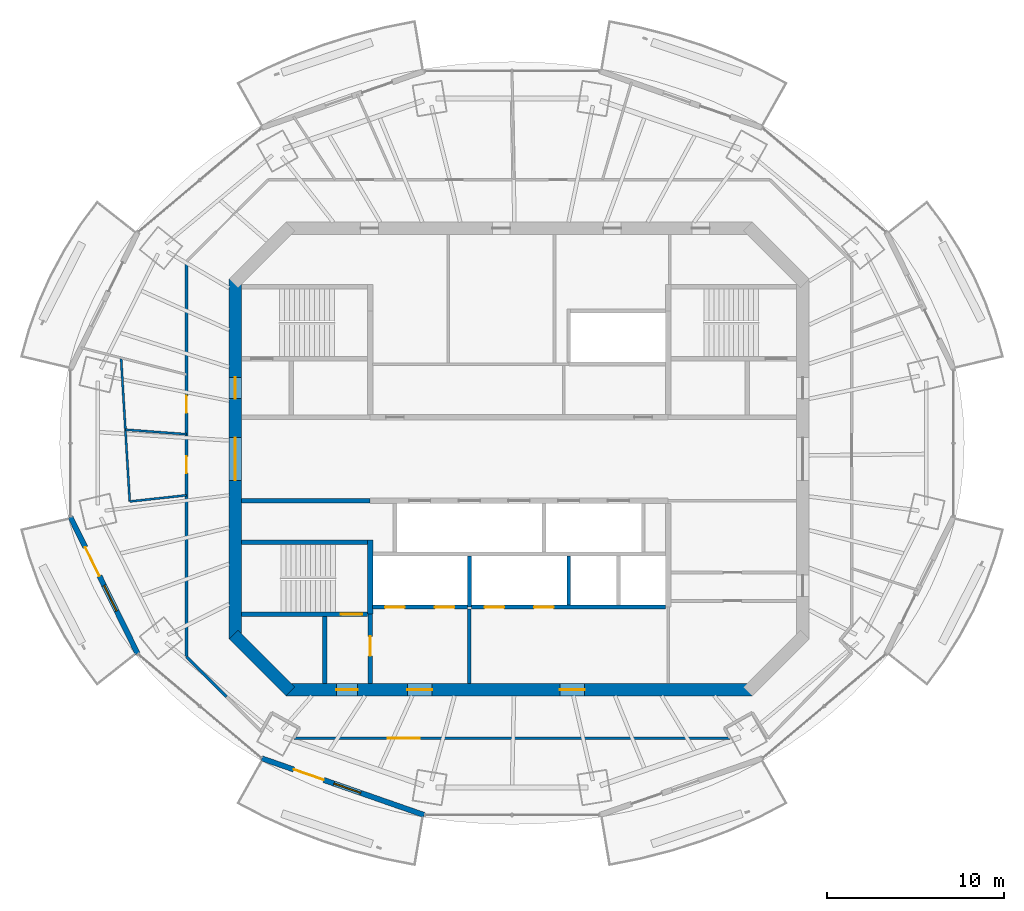
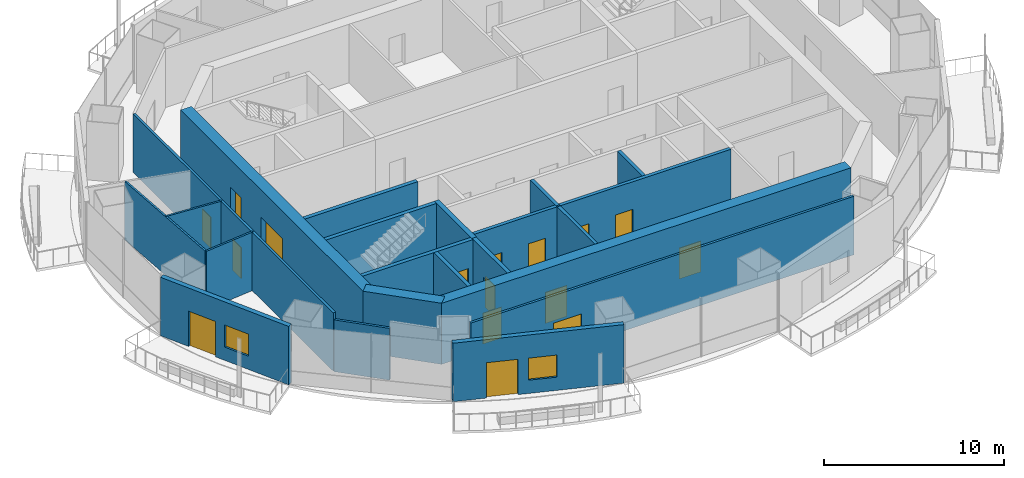
# One storey, part 8 of 15: 22 walls, 16 doors, 2 windows, 18 openings.
"""IFC4 building model written with IfcOpenShell, lengths in metres."""

import ifcopenshell
import ifcopenshell.guid

model = None  # the IFC model being written
_history = None  # IfcOwnerHistory: only IFC2X3 demands one
_inside = {}  # id of a spatial element -> (the spatial element, [elements in it])
_under = {}  # id of a project, library or spatial element -> (it, [spatial elements below it])
_declared = {}  # id of a project -> (the project, [libraries it declares])
_typed = {}  # id of a type object -> (the type object, [elements of that type])
_made_of = {}  # id of a material, layer set ... -> (it, [elements and type objects made of it])


def new_model(schema):
    """Start an empty IFC model of exactly this schema.

    Asked for "IFC4X3", IfcOpenShell would pick the latest addendum, in which some entities
    have other attributes; the version numbers below select the first issue.
    IFC2X3 requires an IfcOwnerHistory on every rooted entity: one is made here for all.
    """
    global model, _history
    if schema == "IFC4X3":
        model = ifcopenshell.file(schema_version=(4, 3, 0, 0))
    else:
        model = ifcopenshell.file(schema=schema)
    _inside.clear()
    _under.clear()
    _declared.clear()
    _typed.clear()
    _made_of.clear()
    _history = None
    if model.schema == "IFC2X3":
        org = make("IfcOrganization", Name="unknown")
        user = make(
            "IfcPersonAndOrganization",
            ThePerson=make("IfcPerson", FamilyName="unknown"),
            TheOrganization=org,
        )
        app = make(
            "IfcApplication",
            ApplicationDeveloper=org,
            Version="unknown",
            ApplicationFullName="unknown",
            ApplicationIdentifier="unknown",
        )
        _history = make(
            "IfcOwnerHistory",
            OwningUser=user,
            OwningApplication=app,
            ChangeAction="ADDED",
            CreationDate=0,
        )
    return model


def make(cls, **values):
    """One entity of the class cls with the attributes given. An attribute that is None is left unset."""
    return model.create_entity(
        cls, **{name: value for name, value in values.items() if value is not None}
    )


def rooted(cls, **values):
    """An entity with a GlobalId (a new one), such as an element, a storey or a relation."""
    return make(cls, GlobalId=ifcopenshell.guid.new(), OwnerHistory=_history, **values)


def si_unit(unit_type, name, prefix=None):
    """IfcSIUnit, for example si_unit("LENGTHUNIT", "METRE", prefix="MILLI")."""
    return make("IfcSIUnit", UnitType=unit_type, Prefix=prefix, Name=name)


def assignment(units):
    """IfcUnitAssignment: the units of a project."""
    return None if units is None else make("IfcUnitAssignment", Units=units)


def point(xyz):
    """IfcCartesianPoint."""
    return None if xyz is None else make("IfcCartesianPoint", Coordinates=xyz)


def direction(xyz):
    """IfcDirection."""
    return None if xyz is None else make("IfcDirection", DirectionRatios=xyz)


def frame(location, z_axis=None, x_axis=None):
    """IfcAxis2Placement3D, a coordinate frame: its origin and axes. An axis left out is left unset."""
    return make(
        "IfcAxis2Placement3D",
        Location=point(location),
        Axis=direction(z_axis),
        RefDirection=direction(x_axis),
    )


def frame_2d(location, x_axis=None):
    """IfcAxis2Placement2D, a coordinate frame in the plane: its origin and x axis."""
    return make(
        "IfcAxis2Placement2D", Location=point(location), RefDirection=direction(x_axis)
    )


def origin():
    """The frame at (0, 0, 0) with its axes left unset."""
    return frame((0.0, 0.0, 0.0))


def place(relative_to, where):
    """IfcLocalPlacement: puts the frame where relative to a parent placement (None: the world)."""
    return make(
        "IfcLocalPlacement", PlacementRelTo=relative_to, RelativePlacement=where
    )


def context(
    kind, dimensions, precision=None, world=None, true_north=None, identifier=None
):
    """IfcGeometricRepresentationContext, for example the 3D "Model" context."""
    return make(
        "IfcGeometricRepresentationContext",
        ContextIdentifier=identifier,
        ContextType=kind,
        CoordinateSpaceDimension=dimensions,
        Precision=precision,
        WorldCoordinateSystem=world,
        TrueNorth=true_north,
    )


def subcontext(parent, identifier, kind, view, scale=None):
    """IfcGeometricRepresentationSubContext, for example "Body" below "Model"."""
    return make(
        "IfcGeometricRepresentationSubContext",
        ContextIdentifier=identifier,
        ContextType=kind,
        ParentContext=parent,
        TargetScale=scale,
        TargetView=view,
    )


def project(units=None, contexts=None):
    """IfcProject with its units and contexts."""
    return rooted(
        "IfcProject",
        Name="project",
        RepresentationContexts=contexts,
        UnitsInContext=assignment(units),
    )


def spatial(cls, under=None, at=None, **own):
    """A site, building, storey or space (cls), placed at a placement, below another one or the project."""
    s = rooted(cls, ObjectPlacement=at, **own)
    if under is not None:
        _under.setdefault(under.id(), (under, []))[1].append(s)
    return s


def profile(cls, at=None, kind="AREA", **sizes):
    """A parametric profile (cls). Its sizes go by their IFC names, for example OverallWidth=200.0."""
    return make(cls, ProfileType=kind, Position=at, **sizes)


def rectangle(**sizes):
    """IfcRectangleProfileDef."""
    return profile("IfcRectangleProfileDef", **sizes)


def extrude(swept, where, along, depth):
    """IfcExtrudedAreaSolid: the profile swept, set in the frame where, extruded along a direction by depth."""
    return make(
        "IfcExtrudedAreaSolid",
        SweptArea=swept,
        Position=where,
        ExtrudedDirection=direction(along),
        Depth=depth,
    )


def shape(context_of_items, identifier, shape_type, items):
    """IfcShapeRepresentation: the items that make up one representation, for example the "Body"."""
    return make(
        "IfcShapeRepresentation",
        ContextOfItems=context_of_items,
        RepresentationIdentifier=identifier,
        RepresentationType=shape_type,
        Items=items,
    )


def material(Name=None, Category=None):
    """IfcMaterial."""
    return make("IfcMaterial", Name=Name, Category=Category)


def layer(
    of_material, thickness, ventilated=None, Name=None, Category=None, Priority=None
):
    """IfcMaterialLayer: one layer of a wall or slab, of a material (None: an air gap)."""
    return make(
        "IfcMaterialLayer",
        Material=of_material,
        LayerThickness=thickness,
        IsVentilated=ventilated,
        Name=Name,
        Category=Category,
        Priority=Priority,
    )


def layer_set(layers, Name=None):
    """IfcMaterialLayerSet."""
    return make("IfcMaterialLayerSet", MaterialLayers=layers, LayerSetName=Name)


def made_of(thing, what):
    """Note that an element or type object is made of a material, layer set ...; save() writes the relation."""
    if what is not None:
        _made_of.setdefault(what.id(), (what, []))[1].append(thing)
    return thing


def type_object(cls, material=None, **own):
    """A type object (cls), such as IfcWallType, which elements share."""
    return made_of(rooted(cls, **own), material)


def element(
    cls,
    number,
    at=None,
    inside=None,
    cuts=None,
    type_object=None,
    material=None,
    context=None,
    identifier="Body",
    shape_type=None,
    held_by="IfcProductDefinitionShape",
    body=None,
    shapes=None,
    **own,
):
    """One element of the class cls, such as IfcWall. Its Tag is "e" and its number.

    at: its placement. inside: the storey or other place that contains it. cuts: it is an
    opening in that element (IfcRelVoidsElement). A single representation is given by context,
    identifier, shape_type and body (its items); several are given by shapes. held_by: the class
    of the entity that holds the representations. save() writes the other relations.
    """
    e = rooted(cls, Tag="e%d" % number, ObjectPlacement=at, **own)
    if body is not None:
        shapes = [shape(context, identifier, shape_type, body)]
    if shapes is not None:
        e.Representation = make(held_by, Representations=shapes)
    if inside is not None:
        _inside.setdefault(inside.id(), (inside, []))[1].append(e)
    if cuts is not None:
        rooted(
            "IfcRelVoidsElement", RelatingBuildingElement=cuts, RelatedOpeningElement=e
        )
    if type_object is not None:
        _typed.setdefault(type_object.id(), (type_object, []))[1].append(e)
    return made_of(e, material)


def fill(opening, filler):
    """IfcRelFillsElement: the door or window that sits in an opening."""
    return rooted(
        "IfcRelFillsElement",
        RelatingOpeningElement=opening,
        RelatedBuildingElement=filler,
    )


def aggregate(whole, parts):
    """IfcRelAggregates: a whole, such as a stair, and the parts it consists of."""
    return rooted("IfcRelAggregates", RelatingObject=whole, RelatedObjects=parts)


def save(model, path):
    """Write the relations noted so far, then the file.

    IfcRelAggregates (storeys below a building ...), IfcRelContainedInSpatialStructure (elements
    in a storey), IfcRelDefinesByType, IfcRelAssociatesMaterial and IfcRelDeclares: one each for
    every whole, place, type object, material and project.
    """
    for whole, parts in _under.values():
        aggregate(whole, parts)
    for where, things in _inside.values():
        rooted(
            "IfcRelContainedInSpatialStructure",
            RelatedElements=things,
            RelatingStructure=where,
        )
    for kind, things in _typed.values():
        rooted("IfcRelDefinesByType", RelatedObjects=things, RelatingType=kind)
    for what, things in _made_of.values():
        rooted("IfcRelAssociatesMaterial", RelatedObjects=things, RelatingMaterial=what)
    for by, libraries in _declared.values():
        rooted("IfcRelDeclares", RelatingContext=by, RelatedDefinitions=libraries)
    model.write(path)


model = new_model("IFC4")

# Units and contexts
model_context = context("Model", 3, precision=1e-05, world=origin(), true_north=direction((0.0, 1.0)))
body_context = subcontext(model_context, "Body", "Model", "MODEL_VIEW")
ifc_project = project(units=[si_unit("LENGTHUNIT", "METRE"), si_unit("AREAUNIT", "SQUARE_METRE"), si_unit("VOLUMEUNIT", "CUBIC_METRE"), si_unit("PLANEANGLEUNIT", "RADIAN"), si_unit("MASSUNIT", "GRAM", prefix="KILO")], contexts=[model_context])

# Site, building, storey
site_placement = place(None, origin())
site = spatial("IfcSite", under=ifc_project, at=site_placement, CompositionType="ELEMENT")
building_placement = place(site_placement, origin())
building = spatial("IfcBuilding", under=site, at=building_placement, Name="Marenthal Gate Tower", CompositionType="ELEMENT")
storey_placement = place(building_placement, frame((0.0, 0.0, 388.25)))
storey = spatial("IfcBuildingStorey", under=building, at=storey_placement, Name="L88", CompositionType="ELEMENT", Elevation=388.25)

# Wall, openings, doors
ifc_material_1 = material(Name="Concrete 60 MPa", Category="concrete")
ifc_layer_1 = layer(ifc_material_1, 0.699951171875)
ifc_layer_set_1 = layer_set([ifc_layer_1], Name="Core shear wall 700")
wall_type_1 = type_object("IfcWallType", Name="Core shear wall 700", PredefinedType="SHEAR", material=ifc_layer_set_1)
wall_1_placement = place(storey_placement, frame((-16.0, 10.14501953125, -0.179931640625), z_axis=(0.0, 0.0, 1.0), x_axis=(0.0, -1.0, 0.0)))
wall_1 = element("IfcWall", 1, at=wall_1_placement, inside=storey, type_object=wall_type_1, Name="Core wall 06", PredefinedType="SHEAR", context=body_context, shape_type="SweptSolid", body=[
    extrude(rectangle(XDim=20.2900390625, YDim=0.699951171875, at=frame_2d((10.14501953125, 0.0))), origin(), (0.0, 0.0, 1.0), 4.14990234375),
])
opening_1_placement = place(wall_1_placement, frame((8.945068359375, 0.0, 0.179931640625)))
opening_1 = element("IfcOpeningElement", 2, at=opening_1_placement, cuts=wall_1, Name="Opening D003.01", PredefinedType="OPENING", context=body_context, shape_type="SweptSolid", body=[
    extrude(rectangle(XDim=2.39990234375, YDim=2.10009765625, at=frame_2d((1.199951171875, 1.050048828125))), frame((0.0, 0.35986328125, 0.0), z_axis=(0.0, -1.0, 0.0), x_axis=(1.0, 0.0, 0.0)), (0.0, 0.0, 1.0), 0.719970703125),
])
opening_2_placement = place(wall_1_placement, frame((5.544921875, 0.0, 0.179931640625)))
opening_2 = element("IfcOpeningElement", 3, at=opening_2_placement, cuts=wall_1, Name="Opening D001.04", PredefinedType="OPENING", context=body_context, shape_type="SweptSolid", body=[
    extrude(rectangle(XDim=1.199951171875, YDim=2.10009765625, at=frame_2d((0.60009765625, 1.050048828125))), frame((0.0, 0.35986328125, 0.0), z_axis=(0.0, -1.0, 0.0), x_axis=(1.0, 0.0, 0.0)), (0.0, 0.0, 1.0), 0.719970703125),
])
ifc_material_2 = material(Name="Steel fire door", Category="steel")
door_type_1 = type_object("IfcDoorType", Name="Double fire door FD 45 2400 x 2100", OperationType="DOUBLE_DOOR_SINGLE_SWING", PredefinedType="DOOR", material=ifc_material_2)
door_1_placement = place(opening_1_placement, origin())
door_1 = element("IfcDoor", 4, at=door_1_placement, inside=storey, type_object=door_type_1, Name="Door D003.01", OperationType="DOUBLE_DOOR_SINGLE_SWING", OverallHeight=2.10009765625, OverallWidth=2.39990234375, PredefinedType="DOOR", context=body_context, shape_type="SweptSolid", body=[
    extrude(rectangle(XDim=2.39990234375, YDim=2.10009765625, at=frame_2d((1.199951171875, 1.050048828125))), frame((0.0, 0.02490234375, 0.0), z_axis=(0.0, -1.0, 0.0), x_axis=(1.0, 0.0, 0.0)), (0.0, 0.0, 1.0), 0.050048828125),
])
fill(opening_1, door_1)
ifc_material_3 = material(Name="Steel fire door", Category="steel")
door_type_2 = type_object("IfcDoorType", Name="Fire door FD 90 1200 x 2100", OperationType="NOTDEFINED", PredefinedType="DOOR", material=ifc_material_3)
door_2_placement = place(opening_2_placement, origin())
door_2 = element("IfcDoor", 5, at=door_2_placement, inside=storey, type_object=door_type_2, Name="Door D001.04", OperationType="SINGLE_SWING_RIGHT", OverallHeight=2.10009765625, OverallWidth=1.199951171875, PredefinedType="DOOR", context=body_context, shape_type="SweptSolid", body=[
    extrude(rectangle(XDim=1.199951171875, YDim=2.10009765625, at=frame_2d((0.60009765625, 1.050048828125))), frame((0.0, 0.02490234375, 0.0), z_axis=(0.0, -1.0, 0.0), x_axis=(1.0, 0.0, 0.0)), (0.0, 0.0, 1.0), 0.050048828125),
])
fill(opening_2, door_2)

# Wall
wall_2_placement = place(storey_placement, frame((-16.1025390625, -9.8974609375, -0.179931640625), z_axis=(0.0, 0.0, 1.0), x_axis=(0.707106781187, -0.707106781187, 0.0)))
element("IfcWall", 6, at=wall_2_placement, inside=storey, type_object=wall_type_1, Name="Core wall 07", PredefinedType="SHEAR", context=body_context, shape_type="SweptSolid", body=[
    extrude(rectangle(XDim=4.53271484375, YDim=0.699951171875, at=frame_2d((2.266357421875, 0.0))), origin(), (0.0, 0.0, 1.0), 4.14990234375),
])

# Wall, openings, doors
wall_3_placement = place(storey_placement, frame((-13.14501953125, -13.0, -0.179931640625), z_axis=(0.0, 0.0, 1.0), x_axis=(1.0, 0.0, 0.0)))
wall_3 = element("IfcWall", 7, at=wall_3_placement, inside=storey, type_object=wall_type_1, Name="Core wall 08", PredefinedType="SHEAR", context=body_context, shape_type="SweptSolid", body=[
    extrude(rectangle(XDim=26.2900390625, YDim=0.699951171875, at=frame_2d((13.14501953125, 0.0))), origin(), (0.0, 0.0, 1.0), 4.14990234375),
])
opening_3_placement = place(wall_3_placement, frame((2.844970703125, 0.0, 0.179931640625)))
opening_3 = element("IfcOpeningElement", 8, at=opening_3_placement, cuts=wall_3, Name="Opening D001.06", PredefinedType="OPENING", context=body_context, shape_type="SweptSolid", body=[
    extrude(rectangle(XDim=1.199951171875, YDim=2.10009765625, at=frame_2d((0.60009765625, 1.050048828125))), frame((0.0, 0.35986328125, 0.0), z_axis=(0.0, -1.0, 0.0), x_axis=(1.0, 0.0, 0.0)), (0.0, 0.0, 1.0), 0.719970703125),
])
opening_4_placement = place(wall_3_placement, frame((6.844970703125, 0.0, 0.179931640625)))
opening_4 = element("IfcOpeningElement", 9, at=opening_4_placement, cuts=wall_3, Name="Opening D004.01", PredefinedType="OPENING", context=body_context, shape_type="SweptSolid", body=[
    extrude(rectangle(XDim=1.39990234375, YDim=2.10009765625, at=frame_2d((0.699951171875, 1.050048828125))), frame((0.0, 0.35986328125, 0.0), z_axis=(0.0, -1.0, 0.0), x_axis=(1.0, 0.0, 0.0)), (0.0, 0.0, 1.0), 0.719970703125),
])
opening_5_placement = place(wall_3_placement, frame((15.445068359375, 0.0, 0.179931640625)))
opening_5 = element("IfcOpeningElement", 10, at=opening_5_placement, cuts=wall_3, Name="Opening D004.02", PredefinedType="OPENING", context=body_context, shape_type="SweptSolid", body=[
    extrude(rectangle(XDim=1.39990234375, YDim=2.10009765625, at=frame_2d((0.699951171875, 1.050048828125))), frame((0.0, 0.35986328125, 0.0), z_axis=(0.0, -1.0, 0.0), x_axis=(1.0, 0.0, 0.0)), (0.0, 0.0, 1.0), 0.719970703125),
])
ifc_material_4 = material(Name="Steel fire door", Category="steel")
door_type_3 = type_object("IfcDoorType", Name="Fire door FD 45 1400 x 2100", OperationType="NOTDEFINED", PredefinedType="DOOR", material=ifc_material_4)
door_3_placement = place(opening_4_placement, origin())
door_3 = element("IfcDoor", 11, at=door_3_placement, inside=storey, type_object=door_type_3, Name="Door D004.01", OperationType="SINGLE_SWING_RIGHT", OverallHeight=2.10009765625, OverallWidth=1.39990234375, PredefinedType="DOOR", context=body_context, shape_type="SweptSolid", body=[
    extrude(rectangle(XDim=1.39990234375, YDim=2.10009765625, at=frame_2d((0.699951171875, 1.050048828125))), frame((0.0, 0.02490234375, 0.0), z_axis=(0.0, -1.0, 0.0), x_axis=(1.0, 0.0, 0.0)), (0.0, 0.0, 1.0), 0.050048828125),
])
fill(opening_4, door_3)
door_4_placement = place(opening_5_placement, origin())
door_4 = element("IfcDoor", 12, at=door_4_placement, inside=storey, type_object=door_type_3, Name="Door D004.02", OperationType="SINGLE_SWING_RIGHT", OverallHeight=2.10009765625, OverallWidth=1.39990234375, PredefinedType="DOOR", context=body_context, shape_type="SweptSolid", body=[
    extrude(rectangle(XDim=1.39990234375, YDim=2.10009765625, at=frame_2d((0.699951171875, 1.050048828125))), frame((0.0, 0.02490234375, 0.0), z_axis=(0.0, -1.0, 0.0), x_axis=(1.0, 0.0, 0.0)), (0.0, 0.0, 1.0), 0.050048828125),
])
fill(opening_5, door_4)
door_5_placement = place(opening_3_placement, origin())
door_5 = element("IfcDoor", 13, at=door_5_placement, inside=storey, type_object=door_type_2, Name="Door D001.06", OperationType="SINGLE_SWING_RIGHT", OverallHeight=2.10009765625, OverallWidth=1.199951171875, PredefinedType="DOOR", context=body_context, shape_type="SweptSolid", body=[
    extrude(rectangle(XDim=1.199951171875, YDim=2.10009765625, at=frame_2d((0.60009765625, 1.050048828125))), frame((0.0, 0.02490234375, 0.0), z_axis=(0.0, -1.0, 0.0), x_axis=(1.0, 0.0, 0.0)), (0.0, 0.0, 1.0), 0.050048828125),
])
fill(opening_3, door_5)

# Walls
ifc_material_5 = material(Name="Gypsum board on steel studs", Category="steel")
ifc_layer_2 = layer(ifc_material_5, 0.199951171875)
ifc_layer_set_2 = layer_set([ifc_layer_2], Name="Fire lobby wall 200")
wall_type_2 = type_object("IfcWallType", Name="Fire lobby wall 200", PredefinedType="PARTITIONING", material=ifc_layer_set_2)
wall_4_placement = place(storey_placement, frame((-2.800048828125, -12.64990234375, 0.0), z_axis=(0.0, 0.0, 1.0), x_axis=(0.0, 1.0, 0.0)))
element("IfcWall", 14, at=wall_4_placement, inside=storey, type_object=wall_type_2, Name="Fire wall 37", PredefinedType="PARTITIONING", context=body_context, shape_type="SweptSolid", body=[
    extrude(rectangle(XDim=4.18994140625, YDim=0.199951171875, at=frame_2d((2.094970703125, 0.0))), origin(), (0.0, 0.0, 1.0), 3.969970703125),
])
ifc_material_6 = material(Name="Concrete 50 MPa", Category="concrete")
ifc_layer_3 = layer(ifc_material_6, 0.300048828125)
ifc_layer_set_3 = layer_set([ifc_layer_3], Name="Hoistway shear wall 300")
wall_type_3 = type_object("IfcWallType", Name="Hoistway shear wall 300", PredefinedType="SHEAR", material=ifc_layer_set_3)
wall_5_placement = place(storey_placement, frame((-8.39990234375, -8.75, -0.179931640625), z_axis=(0.0, 0.0, 1.0), x_axis=(0.0, 1.0, 0.0)))
element("IfcWall", 15, at=wall_5_placement, inside=storey, type_object=wall_type_3, Name="Hoistway wall 32", PredefinedType="SHEAR", context=body_context, shape_type="SweptSolid", body=[
    extrude(rectangle(XDim=4.175048828125, YDim=0.300048828125, at=frame_2d((2.08740234375, 0.0))), origin(), (0.0, 0.0, 1.0), 4.14990234375),
])

# Wall, openings, doors
ifc_material_7 = material(Name="Concrete 40 MPa", Category="concrete")
ifc_layer_4 = layer(ifc_material_7, 0.219970703125)
ifc_layer_set_4 = layer_set([ifc_layer_4], Name="Hoistway wall 220")
wall_type_4 = type_object("IfcWallType", Name="Hoistway wall 220", PredefinedType="STANDARD", material=ifc_layer_set_4)
wall_6_placement = place(storey_placement, frame((-8.25, -8.35009765625, 0.0), z_axis=(0.0, 0.0, 1.0), x_axis=(1.0, 0.0, 0.0)))
wall_6 = element("IfcWall", 16, at=wall_6_placement, inside=storey, type_object=wall_type_4, Name="Hoistway wall 10", PredefinedType="STANDARD", context=body_context, shape_type="SweptSolid", body=[
    extrude(rectangle(XDim=5.340087890625, YDim=0.219970703125, at=frame_2d((2.669921875, 0.0))), origin(), (0.0, 0.0, 1.0), 3.969970703125),
])
opening_6_placement = place(wall_6_placement, frame((0.699951171875, 0.0, 0.0)))
opening_6 = element("IfcOpeningElement", 17, at=opening_6_placement, cuts=wall_6, Name="Opening LD-LF1", PredefinedType="OPENING", context=body_context, shape_type="SweptSolid", body=[
    extrude(rectangle(XDim=1.10009765625, YDim=2.10009765625, at=frame_2d((0.550048828125, 1.050048828125))), frame((0.0, 0.1201171875, 0.0), z_axis=(0.0, -1.0, 0.0), x_axis=(1.0, 0.0, 0.0)), (0.0, 0.0, 1.0), 0.239990234375),
])
opening_7_placement = place(wall_6_placement, frame((3.5, 0.0, 0.0)))
opening_7 = element("IfcOpeningElement", 18, at=opening_7_placement, cuts=wall_6, Name="Opening LD-LF2", PredefinedType="OPENING", context=body_context, shape_type="SweptSolid", body=[
    extrude(rectangle(XDim=1.10009765625, YDim=2.10009765625, at=frame_2d((0.550048828125, 1.050048828125))), frame((0.0, 0.1201171875, 0.0), z_axis=(0.0, -1.0, 0.0), x_axis=(1.0, 0.0, 0.0)), (0.0, 0.0, 1.0), 0.239990234375),
])
ifc_material_8 = material(Name="Stainless steel sliding door", Category="steel")
door_type_4 = type_object("IfcDoorType", Name="Lift landing door FD 90 1100 x 2100", OperationType="DOUBLE_DOOR_SLIDING", PredefinedType="DOOR", material=ifc_material_8)
door_6_placement = place(opening_6_placement, origin())
door_6 = element("IfcDoor", 19, at=door_6_placement, inside=storey, type_object=door_type_4, Name="Lift landing door LF1", OperationType="DOUBLE_DOOR_SLIDING", OverallHeight=2.10009765625, OverallWidth=1.10009765625, PredefinedType="DOOR", context=body_context, shape_type="SweptSolid", body=[
    extrude(rectangle(XDim=1.10009765625, YDim=2.10009765625, at=frame_2d((0.550048828125, 1.050048828125))), frame((0.0, 0.02490234375, 0.0), z_axis=(0.0, -1.0, 0.0), x_axis=(1.0, 0.0, 0.0)), (0.0, 0.0, 1.0), 0.050048828125),
])
fill(opening_6, door_6)
door_7_placement = place(opening_7_placement, origin())
door_7 = element("IfcDoor", 20, at=door_7_placement, inside=storey, type_object=door_type_4, Name="Lift landing door LF2", OperationType="DOUBLE_DOOR_SLIDING", OverallHeight=2.10009765625, OverallWidth=1.10009765625, PredefinedType="DOOR", context=body_context, shape_type="SweptSolid", body=[
    extrude(rectangle(XDim=1.10009765625, YDim=2.10009765625, at=frame_2d((0.550048828125, 1.050048828125))), frame((0.0, 0.02490234375, 0.0), z_axis=(0.0, -1.0, 0.0), x_axis=(1.0, 0.0, 0.0)), (0.0, 0.0, 1.0), 0.050048828125),
])
fill(opening_7, door_7)

wall_7_placement = place(storey_placement, frame((-2.68994140625, -8.35009765625, 0.0), z_axis=(0.0, 0.0, 1.0), x_axis=(1.0, 0.0, 0.0)))
wall_7 = element("IfcWall", 21, at=wall_7_placement, inside=storey, type_object=wall_type_4, Name="Hoistway wall 11", PredefinedType="STANDARD", context=body_context, shape_type="SweptSolid", body=[
    extrude(rectangle(XDim=10.93994140625, YDim=0.219970703125, at=frame_2d((5.469970703125, 0.0))), origin(), (0.0, 0.0, 1.0), 3.969970703125),
])
opening_8_placement = place(wall_7_placement, frame((0.739990234375, 0.0, 0.0)))
opening_8 = element("IfcOpeningElement", 22, at=opening_8_placement, cuts=wall_7, Name="Opening LD-SV1", PredefinedType="OPENING", context=body_context, shape_type="SweptSolid", body=[
    extrude(rectangle(XDim=1.10009765625, YDim=2.10009765625, at=frame_2d((0.550048828125, 1.050048828125))), frame((0.0, 0.1201171875, 0.0), z_axis=(0.0, -1.0, 0.0), x_axis=(1.0, 0.0, 0.0)), (0.0, 0.0, 1.0), 0.239990234375),
])
opening_9_placement = place(wall_7_placement, frame((3.5400390625, 0.0, 0.0)))
opening_9 = element("IfcOpeningElement", 23, at=opening_9_placement, cuts=wall_7, Name="Opening LD-SV2", PredefinedType="OPENING", context=body_context, shape_type="SweptSolid", body=[
    extrude(rectangle(XDim=1.10009765625, YDim=2.10009765625, at=frame_2d((0.550048828125, 1.050048828125))), frame((0.0, 0.1201171875, 0.0), z_axis=(0.0, -1.0, 0.0), x_axis=(1.0, 0.0, 0.0)), (0.0, 0.0, 1.0), 0.239990234375),
])
door_8_placement = place(opening_8_placement, origin())
door_8 = element("IfcDoor", 24, at=door_8_placement, inside=storey, type_object=door_type_4, Name="Lift landing door SV1", OperationType="DOUBLE_DOOR_SLIDING", OverallHeight=2.10009765625, OverallWidth=1.10009765625, PredefinedType="DOOR", context=body_context, shape_type="SweptSolid", body=[
    extrude(rectangle(XDim=1.10009765625, YDim=2.10009765625, at=frame_2d((0.550048828125, 1.050048828125))), frame((0.0, 0.02490234375, 0.0), z_axis=(0.0, -1.0, 0.0), x_axis=(1.0, 0.0, 0.0)), (0.0, 0.0, 1.0), 0.050048828125),
])
fill(opening_8, door_8)
door_9_placement = place(opening_9_placement, origin())
door_9 = element("IfcDoor", 25, at=door_9_placement, inside=storey, type_object=door_type_4, Name="Lift landing door SV2", OperationType="DOUBLE_DOOR_SLIDING", OverallHeight=2.10009765625, OverallWidth=1.10009765625, PredefinedType="DOOR", context=body_context, shape_type="SweptSolid", body=[
    extrude(rectangle(XDim=1.10009765625, YDim=2.10009765625, at=frame_2d((0.550048828125, 1.050048828125))), frame((0.0, 0.02490234375, 0.0), z_axis=(0.0, -1.0, 0.0), x_axis=(1.0, 0.0, 0.0)), (0.0, 0.0, 1.0), 0.050048828125),
])
fill(opening_9, door_9)

# Walls
wall_8_placement = place(storey_placement, frame((-2.800048828125, -8.35009765625, 0.0), z_axis=(0.0, 0.0, 1.0), x_axis=(0.0, 1.0, 0.0)))
element("IfcWall", 26, at=wall_8_placement, inside=storey, type_object=wall_type_4, Name="Hoistway wall 38", PredefinedType="STANDARD", context=body_context, shape_type="SweptSolid", body=[
    extrude(rectangle(XDim=2.89013671875, YDim=0.219970703125, at=frame_2d((1.445068359375, 0.0))), origin(), (0.0, 0.0, 1.0), 3.969970703125),
])
wall_9_placement = place(storey_placement, frame((2.800048828125, -8.239990234375, 0.0), z_axis=(0.0, 0.0, 1.0), x_axis=(0.0, 1.0, 0.0)))
element("IfcWall", 27, at=wall_9_placement, inside=storey, type_object=wall_type_4, Name="Hoistway wall 42", PredefinedType="STANDARD", context=body_context, shape_type="SweptSolid", body=[
    extrude(rectangle(XDim=2.780029296875, YDim=0.219970703125, at=frame_2d((1.39013671875, 0.0))), origin(), (0.0, 0.0, 1.0), 3.969970703125),
])
ifc_material_9 = material(Name="Gypsum board on steel studs", Category="steel")
ifc_layer_5 = layer(ifc_material_9, 0.1201171875)
ifc_layer_set_5 = layer_set([ifc_layer_5], Name="Partition 120")
wall_type_5 = type_object("IfcWallType", Name="Partition 120", PredefinedType="PARTITIONING", material=ifc_layer_set_5)
wall_10_placement = place(storey_placement, frame((-22.4384765625, 5.70263671875, 0.0), z_axis=(0.0, 0.0, 1.0), x_axis=(0.060251539716, -0.998183225646, 0.0)))
element("IfcWall", 28, at=wall_10_placement, inside=storey, type_object=wall_type_5, Name="Partition wall 52", PredefinedType="PARTITIONING", context=body_context, shape_type="SweptSolid", body=[
    extrude(rectangle(XDim=8.112060546875, YDim=0.1201171875, at=frame_2d((4.05615234375, 0.0))), origin(), (0.0, 0.0, 1.0), 3.969970703125),
])
wall_11_placement = place(storey_placement, frame((-22.194091796875, 1.654052734375, 0.0), z_axis=(0.0, 0.0, 1.0), x_axis=(0.997230984546, -0.074366413535, 0.0)))
element("IfcWall", 29, at=wall_11_placement, inside=storey, type_object=wall_type_5, Name="Partition wall 53", PredefinedType="PARTITIONING", context=body_context, shape_type="SweptSolid", body=[
    extrude(rectangle(XDim=3.45361328125, YDim=0.1201171875, at=frame_2d((1.726806640625, 0.0))), origin(), (0.0, 0.0, 1.0), 3.969970703125),
])
wall_12_placement = place(storey_placement, frame((-21.94970703125, -2.394775390625, 0.0), z_axis=(0.0, 0.0, 1.0), x_axis=(0.994100094927, 0.10846659055, 0.0)))
element("IfcWall", 30, at=wall_12_placement, inside=storey, type_object=wall_type_5, Name="Partition wall 54", PredefinedType="PARTITIONING", context=body_context, shape_type="SweptSolid", body=[
    extrude(rectangle(XDim=3.21875, YDim=0.1201171875, at=frame_2d((1.609375, 0.0))), origin(), (0.0, 0.0, 1.0), 3.969970703125),
])

# Wall, openings, doors
ifc_material_10 = material(Name="Gypsum board on steel studs", Category="steel")
ifc_layer_6 = layer(ifc_material_10, 0.14990234375)
ifc_layer_set_6 = layer_set([ifc_layer_6], Name="Partition 150")
wall_type_6 = type_object("IfcWallType", Name="Partition 150", PredefinedType="PARTITIONING", material=ifc_layer_set_6)
wall_13_placement = place(storey_placement, frame((-18.75, -11.13916015625, 0.0), z_axis=(0.0, 0.0, 1.0), x_axis=(0.0, 1.0, 0.0)))
wall_13 = element("IfcWall", 31, at=wall_13_placement, inside=storey, type_object=wall_type_6, Name="Partition wall 55", PredefinedType="PARTITIONING", context=body_context, shape_type="SweptSolid", body=[
    extrude(rectangle(XDim=22.2783203125, YDim=0.14990234375, at=frame_2d((11.13916015625, 0.0))), origin(), (0.0, 0.0, 1.0), 3.969970703125),
])
opening_10_placement = place(wall_13_placement, frame((13.7451171875, 0.0, 0.0)))
opening_10 = element("IfcOpeningElement", 32, at=opening_10_placement, cuts=wall_13, Name="Opening D016.05", PredefinedType="OPENING", context=body_context, shape_type="SweptSolid", body=[
    extrude(rectangle(XDim=0.949951171875, YDim=2.10009765625, at=frame_2d((0.47509765625, 1.050048828125))), frame((0.0, 0.0849609375, 0.0), z_axis=(0.0, -1.0, 0.0), x_axis=(1.0, 0.0, 0.0)), (0.0, 0.0, 1.0), 0.169921875),
])
opening_11_placement = place(wall_13_placement, frame((10.340087890625, 0.0, 0.0)))
opening_11 = element("IfcOpeningElement", 33, at=opening_11_placement, cuts=wall_13, Name="Opening D016.06", PredefinedType="OPENING", context=body_context, shape_type="SweptSolid", body=[
    extrude(rectangle(XDim=0.949951171875, YDim=2.10009765625, at=frame_2d((0.47509765625, 1.050048828125))), frame((0.0, 0.0849609375, 0.0), z_axis=(0.0, -1.0, 0.0), x_axis=(1.0, 0.0, 0.0)), (0.0, 0.0, 1.0), 0.169921875),
])
ifc_material_11 = material(Name="Timber door", Category="wood")
door_type_5 = type_object("IfcDoorType", Name="Door 950 x 2100", OperationType="NOTDEFINED", PredefinedType="DOOR", material=ifc_material_11)
door_10_placement = place(opening_10_placement, origin())
door_10 = element("IfcDoor", 34, at=door_10_placement, inside=storey, type_object=door_type_5, Name="Door D016.05", OperationType="SINGLE_SWING_RIGHT", OverallHeight=2.10009765625, OverallWidth=0.949951171875, PredefinedType="DOOR", context=body_context, shape_type="SweptSolid", body=[
    extrude(rectangle(XDim=0.949951171875, YDim=2.10009765625, at=frame_2d((0.47509765625, 1.050048828125))), frame((0.0, 0.02490234375, 0.0), z_axis=(0.0, -1.0, 0.0), x_axis=(1.0, 0.0, 0.0)), (0.0, 0.0, 1.0), 0.050048828125),
])
fill(opening_10, door_10)
door_11_placement = place(opening_11_placement, origin())
door_11 = element("IfcDoor", 35, at=door_11_placement, inside=storey, type_object=door_type_5, Name="Door D016.06", OperationType="SINGLE_SWING_RIGHT", OverallHeight=2.10009765625, OverallWidth=0.949951171875, PredefinedType="DOOR", context=body_context, shape_type="SweptSolid", body=[
    extrude(rectangle(XDim=0.949951171875, YDim=2.10009765625, at=frame_2d((0.47509765625, 1.050048828125))), frame((0.0, 0.02490234375, 0.0), z_axis=(0.0, -1.0, 0.0), x_axis=(1.0, 0.0, 0.0)), (0.0, 0.0, 1.0), 0.050048828125),
])
fill(opening_11, door_11)

# Wall
wall_14_placement = place(storey_placement, frame((-16.490478515625, -13.3984375, 0.0), z_axis=(0.0, 0.0, 1.0), x_axis=(-0.707144983557, 0.707068576752, 0.0)))
element("IfcWall", 36, at=wall_14_placement, inside=storey, type_object=wall_type_6, Name="Partition wall 78", PredefinedType="PARTITIONING", context=body_context, shape_type="SweptSolid", body=[
    extrude(rectangle(XDim=3.1953125, YDim=0.14990234375, at=frame_2d((1.59765625, 0.0))), origin(), (0.0, 0.0, 1.0), 3.512939453125),
])

# Wall, opening, door
wall_15_placement = place(storey_placement, frame((11.896728515625, -15.75, 0.0), z_axis=(0.0, 0.0, 1.0), x_axis=(-1.0, 0.0, 0.0)))
wall_15 = element("IfcWall", 37, at=wall_15_placement, inside=storey, type_object=wall_type_6, Name="Partition wall 68", PredefinedType="PARTITIONING", context=body_context, shape_type="SweptSolid", body=[
    extrude(rectangle(XDim=24.593505859375, YDim=0.14990234375, at=frame_2d((12.296875, 0.0))), origin(), (0.0, 0.0, 1.0), 3.969970703125),
])
opening_12_placement = place(wall_15_placement, frame((17.501953125, 0.0, 0.0)))
opening_12 = element("IfcOpeningElement", 38, at=opening_12_placement, cuts=wall_15, Name="Opening D014.02", PredefinedType="OPENING", context=body_context, shape_type="SweptSolid", body=[
    extrude(rectangle(XDim=1.800048828125, YDim=2.10009765625, at=frame_2d((0.89990234375, 1.050048828125))), frame((0.0, 0.0849609375, 0.0), z_axis=(0.0, -1.0, 0.0), x_axis=(1.0, 0.0, 0.0)), (0.0, 0.0, 1.0), 0.169921875),
])
ifc_material_12 = material(Name="Timber door", Category="wood")
door_type_6 = type_object("IfcDoorType", Name="Double door 1800 x 2100", OperationType="DOUBLE_DOOR_SINGLE_SWING", PredefinedType="DOOR", material=ifc_material_12)
door_12_placement = place(opening_12_placement, origin())
door_12 = element("IfcDoor", 39, at=door_12_placement, inside=storey, type_object=door_type_6, Name="Door D014.02", OperationType="DOUBLE_DOOR_SINGLE_SWING", OverallHeight=2.10009765625, OverallWidth=1.800048828125, PredefinedType="DOOR", context=body_context, shape_type="SweptSolid", body=[
    extrude(rectangle(XDim=1.800048828125, YDim=2.10009765625, at=frame_2d((0.89990234375, 1.050048828125))), frame((0.0, 0.02490234375, 0.0), z_axis=(0.0, -1.0, 0.0), x_axis=(1.0, 0.0, 0.0)), (0.0, 0.0, 1.0), 0.050048828125),
])
fill(opening_12, door_12)

# Walls
ifc_material_13 = material(Name="Concrete 40 MPa", Category="concrete")
ifc_layer_7 = layer(ifc_material_13, 0.25)
ifc_layer_set_7 = layer_set([ifc_layer_7], Name="Stair enclosure wall 250")
wall_type_7 = type_object("IfcWallType", Name="Stair enclosure wall 250", PredefinedType="STANDARD", material=ifc_layer_set_7)
wall_16_placement = place(storey_placement, frame((-15.64990234375, -2.35009765625, 0.0), z_axis=(0.0, 0.0, 1.0), x_axis=(1.0, 0.0, 0.0)))
element("IfcWall", 40, at=wall_16_placement, inside=storey, type_object=wall_type_7, Name="Stair wall 16", PredefinedType="STANDARD", context=body_context, shape_type="SweptSolid", body=[
    extrude(rectangle(XDim=7.25, YDim=0.25, at=frame_2d((3.625, 0.0))), origin(), (0.0, 0.0, 1.0), 3.969970703125),
])
wall_17_placement = place(storey_placement, frame((-10.949951171875, -12.64990234375, 0.0), z_axis=(0.0, 0.0, 1.0), x_axis=(0.0, 1.0, 0.0)))
element("IfcWall", 41, at=wall_17_placement, inside=storey, type_object=wall_type_7, Name="Stair wall 30", PredefinedType="STANDARD", context=body_context, shape_type="SweptSolid", body=[
    extrude(rectangle(XDim=3.77490234375, YDim=0.25, at=frame_2d((1.887451171875, 0.0))), origin(), (0.0, 0.0, 1.0), 3.969970703125),
])

# Wall, opening, door
wall_18_placement = place(storey_placement, frame((-8.39990234375, -12.64990234375, 0.0), z_axis=(0.0, 0.0, 1.0), x_axis=(0.0, 1.0, 0.0)))
wall_18 = element("IfcWall", 42, at=wall_18_placement, inside=storey, type_object=wall_type_7, Name="Stair wall 31", PredefinedType="STANDARD", context=body_context, shape_type="SweptSolid", body=[
    extrude(rectangle(XDim=3.89990234375, YDim=0.25, at=frame_2d((1.949951171875, 0.0))), origin(), (0.0, 0.0, 1.0), 3.969970703125),
])
opening_13_placement = place(wall_18_placement, frame((1.550048828125, 0.0, 0.0)))
opening_13 = element("IfcOpeningElement", 43, at=opening_13_placement, cuts=wall_18, Name="Opening D002.01", PredefinedType="OPENING", context=body_context, shape_type="SweptSolid", body=[
    extrude(rectangle(XDim=1.10009765625, YDim=2.10009765625, at=frame_2d((0.550048828125, 1.050048828125))), frame((0.0, 0.135009765625, 0.0), z_axis=(0.0, -1.0, 0.0), x_axis=(1.0, 0.0, 0.0)), (0.0, 0.0, 1.0), 0.27001953125),
])
ifc_material_14 = material(Name="Steel fire door", Category="steel")
door_type_7 = type_object("IfcDoorType", Name="Fire door FD 90 1100 x 2100", OperationType="NOTDEFINED", PredefinedType="DOOR", material=ifc_material_14)
door_13_placement = place(opening_13_placement, origin())
door_13 = element("IfcDoor", 44, at=door_13_placement, inside=storey, type_object=door_type_7, Name="Door D002.01", OperationType="SINGLE_SWING_RIGHT", OverallHeight=2.10009765625, OverallWidth=1.10009765625, PredefinedType="DOOR", context=body_context, shape_type="SweptSolid", body=[
    extrude(rectangle(XDim=1.10009765625, YDim=2.10009765625, at=frame_2d((0.550048828125, 1.050048828125))), frame((0.0, 0.02490234375, 0.0), z_axis=(0.0, -1.0, 0.0), x_axis=(1.0, 0.0, 0.0)), (0.0, 0.0, 1.0), 0.050048828125),
])
fill(opening_13, door_13)

ifc_material_15 = material(Name="Concrete 50 MPa", Category="concrete")
ifc_layer_8 = layer(ifc_material_15, 0.25)
ifc_layer_set_8 = layer_set([ifc_layer_8], Name="Stair shear wall 250")
wall_type_8 = type_object("IfcWallType", Name="Stair shear wall 250", PredefinedType="SHEAR", material=ifc_layer_set_8)
wall_19_placement = place(storey_placement, frame((-15.64990234375, -8.75, -0.179931640625), z_axis=(0.0, 0.0, 1.0), x_axis=(1.0, 0.0, 0.0)))
wall_19 = element("IfcWall", 45, at=wall_19_placement, inside=storey, type_object=wall_type_8, Name="Stair wall 09", PredefinedType="SHEAR", context=body_context, shape_type="SweptSolid", body=[
    extrude(rectangle(XDim=7.099853515625, YDim=0.25, at=frame_2d((3.5498046875, 0.0))), origin(), (0.0, 0.0, 1.0), 4.14990234375),
])
opening_14_placement = place(wall_19_placement, frame((5.60009765625, 0.0, 0.179931640625)))
opening_14 = element("IfcOpeningElement", 46, at=opening_14_placement, cuts=wall_19, Name="Opening D001.03", PredefinedType="OPENING", context=body_context, shape_type="SweptSolid", body=[
    extrude(rectangle(XDim=1.199951171875, YDim=2.10009765625, at=frame_2d((0.60009765625, 1.050048828125))), frame((0.0, 0.135009765625, 0.0), z_axis=(0.0, -1.0, 0.0), x_axis=(1.0, 0.0, 0.0)), (0.0, 0.0, 1.0), 0.27001953125),
])
door_14_placement = place(opening_14_placement, origin())
door_14 = element("IfcDoor", 47, at=door_14_placement, inside=storey, type_object=door_type_2, Name="Door D001.03", OperationType="SINGLE_SWING_RIGHT", OverallHeight=2.10009765625, OverallWidth=1.199951171875, PredefinedType="DOOR", context=body_context, shape_type="SweptSolid", body=[
    extrude(rectangle(XDim=1.199951171875, YDim=2.10009765625, at=frame_2d((0.60009765625, 1.050048828125))), frame((0.0, 0.02490234375, 0.0), z_axis=(0.0, -1.0, 0.0), x_axis=(1.0, 0.0, 0.0)), (0.0, 0.0, 1.0), 0.050048828125),
])
fill(opening_14, door_14)

# Wall
wall_20_placement = place(storey_placement, frame((-15.64990234375, -4.699951171875, -0.179931640625), z_axis=(0.0, 0.0, 1.0), x_axis=(1.0, 0.0, 0.0)))
element("IfcWall", 48, at=wall_20_placement, inside=storey, type_object=wall_type_8, Name="Stair wall 15", PredefinedType="SHEAR", context=body_context, shape_type="SweptSolid", body=[
    extrude(rectangle(XDim=7.099853515625, YDim=0.25, at=frame_2d((3.5498046875, 0.0))), origin(), (0.0, 0.0, 1.0), 4.14990234375),
])

# Wall, openings, door, window
ifc_material_16 = material(Name="Terracotta cladding on insulated concrete-block backing", Category="masonry")
ifc_layer_9 = layer(ifc_material_16, 0.300048828125)
ifc_layer_set_9 = layer_set([ifc_layer_9], Name="Terracotta facade wall 300")
wall_type_9 = type_object("IfcWallType", Name="Terracotta facade wall 300", PredefinedType="SOLIDWALL", material=ifc_layer_set_9)
wall_21_placement = place(storey_placement, frame((-25.292236328125, -3.27099609375, 0.0), z_axis=(0.0, 0.0, 1.0), x_axis=(0.441245353493, -0.897386504256, 0.0)))
wall_21 = element("IfcWall", 49, at=wall_21_placement, inside=storey, type_object=wall_type_9, Name="Terracotta facade wall L88 bay 9", PredefinedType="SOLIDWALL", context=body_context, shape_type="SweptSolid", body=[
    extrude(rectangle(XDim=8.58837890625, YDim=0.300048828125, at=frame_2d((4.294189453125, 0.0))), origin(), (0.0, 0.0, 1.0), 3.969970703125),
])
opening_15_placement = place(wall_21_placement, frame((1.89990234375, 0.0, 0.0)))
opening_15 = element("IfcOpeningElement", 50, at=opening_15_placement, cuts=wall_21, Name="Opening BD-L88-09", PredefinedType="OPENING", context=body_context, shape_type="SweptSolid", body=[
    extrude(rectangle(XDim=1.800048828125, YDim=2.39990234375, at=frame_2d((0.89990234375, 1.199951171875))), frame((0.0, 0.16015625, 0.0), z_axis=(0.0, -1.0, 0.0), x_axis=(1.0, 0.0, 0.0)), (0.0, 0.0, 1.0), 0.320068359375),
])
opening_16_placement = place(wall_21_placement, frame((4.300048828125, 0.0, 0.89990234375)))
opening_16 = element("IfcOpeningElement", 51, at=opening_16_placement, cuts=wall_21, Name="Opening WN3-L88-09", PredefinedType="OPENING", context=body_context, shape_type="SweptSolid", body=[
    extrude(rectangle(XDim=1.60009765625, YDim=1.5, at=frame_2d((0.800048828125, 0.75))), frame((0.0, 0.16015625, 0.0), z_axis=(0.0, -1.0, 0.0), x_axis=(1.0, 0.0, 0.0)), (0.0, 0.0, 1.0), 0.320068359375),
])
ifc_material_17 = material(Name="Aluminium and glass", Category="aluminium")
door_type_8 = type_object("IfcDoorType", Name="Balcony door 1800x2400", OperationType="DOUBLE_DOOR_SINGLE_SWING", PredefinedType="DOOR", material=ifc_material_17)
door_15_placement = place(opening_15_placement, origin())
door_15 = element("IfcDoor", 52, at=door_15_placement, inside=storey, type_object=door_type_8, Name="Balcony door L88 bay 9", OperationType="SINGLE_SWING_LEFT", OverallHeight=2.39990234375, OverallWidth=1.800048828125, PredefinedType="DOOR", context=body_context, shape_type="SweptSolid", body=[
    extrude(rectangle(XDim=1.800048828125, YDim=2.39990234375, at=frame_2d((0.89990234375, 1.199951171875))), frame((0.0, 0.02490234375, 0.0), z_axis=(0.0, -1.0, 0.0), x_axis=(1.0, 0.0, 0.0)), (0.0, 0.0, 1.0), 0.050048828125),
])
fill(opening_15, door_15)
ifc_material_18 = material(Name="Aluminium and glass", Category="aluminium")
window_type = type_object("IfcWindowType", Name="Window 1600x1500", PartitioningType="DOUBLE_PANEL_VERTICAL", PredefinedType="WINDOW", material=ifc_material_18)
window_1_placement = place(opening_16_placement, origin())
window_1 = element("IfcWindow", 53, at=window_1_placement, inside=storey, type_object=window_type, Name="Window L88 bay 9", OverallHeight=1.5, OverallWidth=1.60009765625, PartitioningType="SINGLE_PANEL", PredefinedType="WINDOW", context=body_context, shape_type="SweptSolid", body=[
    extrude(rectangle(XDim=1.60009765625, YDim=1.5, at=frame_2d((0.800048828125, 0.75))), frame((0.0, 0.030029296875, 0.0), z_axis=(0.0, -1.0, 0.0), x_axis=(1.0, 0.0, 0.0)), (0.0, 0.0, 1.0), 0.06005859375),
])
fill(opening_16, window_1)

wall_22_placement = place(storey_placement, frame((-14.50048828125, -16.876708984375, 0.0), z_axis=(0.0, 0.0, 1.0), x_axis=(0.944174121216, -0.329446852809, 0.0)))
wall_22 = element("IfcWall", 54, at=wall_22_placement, inside=storey, type_object=wall_type_9, Name="Terracotta facade wall L88 bay 11", PredefinedType="SOLIDWALL", context=body_context, shape_type="SweptSolid", body=[
    extrude(rectangle(XDim=9.690185546875, YDim=0.300048828125, at=frame_2d((4.84521484375, 0.0))), origin(), (0.0, 0.0, 1.0), 3.969970703125),
])
opening_17_placement = place(wall_22_placement, frame((1.89990234375, 0.0, 0.0)))
opening_17 = element("IfcOpeningElement", 55, at=opening_17_placement, cuts=wall_22, Name="Opening BD-L88-11", PredefinedType="OPENING", context=body_context, shape_type="SweptSolid", body=[
    extrude(rectangle(XDim=1.800048828125, YDim=2.39990234375, at=frame_2d((0.89990234375, 1.199951171875))), frame((0.0, 0.16015625, 0.0), z_axis=(0.0, -1.0, 0.0), x_axis=(1.0, 0.0, 0.0)), (0.0, 0.0, 1.0), 0.320068359375),
])
opening_18_placement = place(wall_22_placement, frame((4.300048828125, 0.0, 0.89990234375)))
opening_18 = element("IfcOpeningElement", 56, at=opening_18_placement, cuts=wall_22, Name="Opening WN3-L88-11", PredefinedType="OPENING", context=body_context, shape_type="SweptSolid", body=[
    extrude(rectangle(XDim=1.60009765625, YDim=1.5, at=frame_2d((0.800048828125, 0.75))), frame((0.0, 0.16015625, 0.0), z_axis=(0.0, -1.0, 0.0), x_axis=(1.0, 0.0, 0.0)), (0.0, 0.0, 1.0), 0.320068359375),
])
door_16_placement = place(opening_17_placement, origin())
door_16 = element("IfcDoor", 57, at=door_16_placement, inside=storey, type_object=door_type_8, Name="Balcony door L88 bay 11", OperationType="SINGLE_SWING_LEFT", OverallHeight=2.39990234375, OverallWidth=1.800048828125, PredefinedType="DOOR", context=body_context, shape_type="SweptSolid", body=[
    extrude(rectangle(XDim=1.800048828125, YDim=2.39990234375, at=frame_2d((0.89990234375, 1.199951171875))), frame((0.0, 0.02490234375, 0.0), z_axis=(0.0, -1.0, 0.0), x_axis=(1.0, 0.0, 0.0)), (0.0, 0.0, 1.0), 0.050048828125),
])
fill(opening_17, door_16)
window_2_placement = place(opening_18_placement, origin())
window_2 = element("IfcWindow", 58, at=window_2_placement, inside=storey, type_object=window_type, Name="Window L88 bay 11", OverallHeight=1.5, OverallWidth=1.60009765625, PartitioningType="SINGLE_PANEL", PredefinedType="WINDOW", context=body_context, shape_type="SweptSolid", body=[
    extrude(rectangle(XDim=1.60009765625, YDim=1.5, at=frame_2d((0.800048828125, 0.75))), frame((0.0, 0.030029296875, 0.0), z_axis=(0.0, -1.0, 0.0), x_axis=(1.0, 0.0, 0.0)), (0.0, 0.0, 1.0), 0.06005859375),
])
fill(opening_18, window_2)

save(model, "model.ifc")
